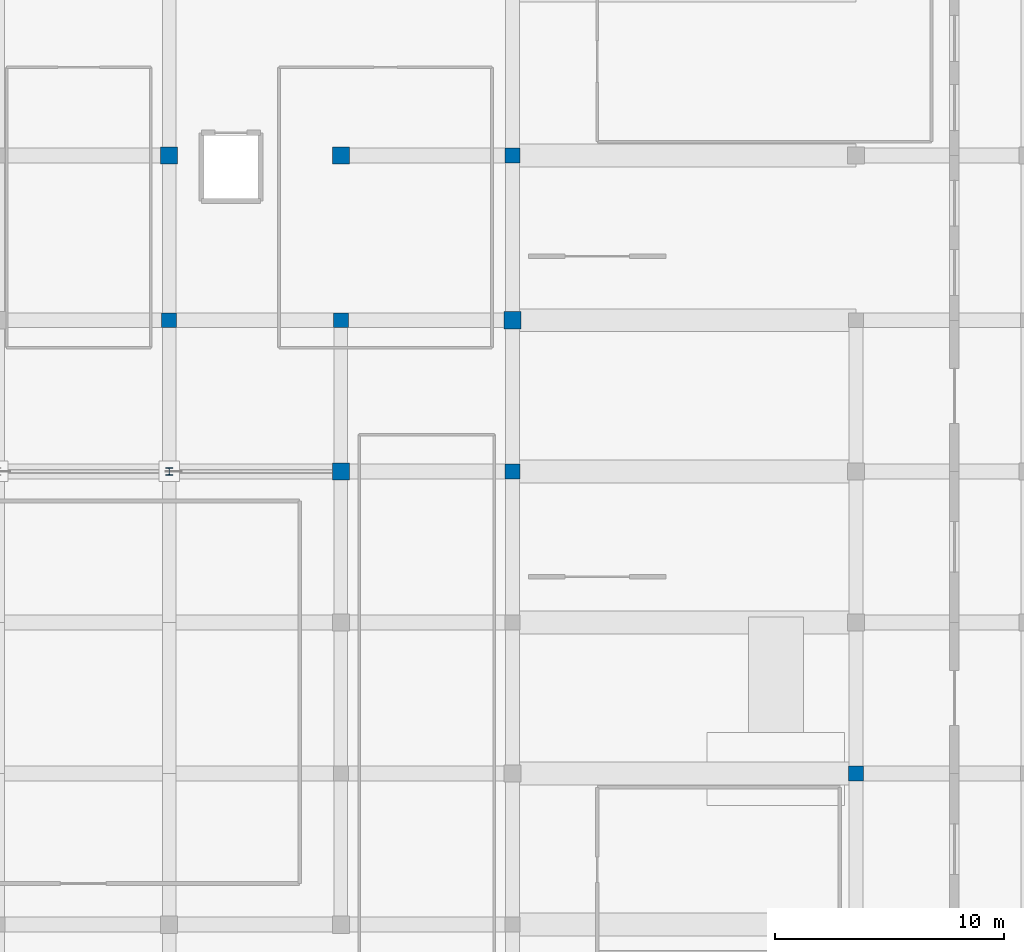
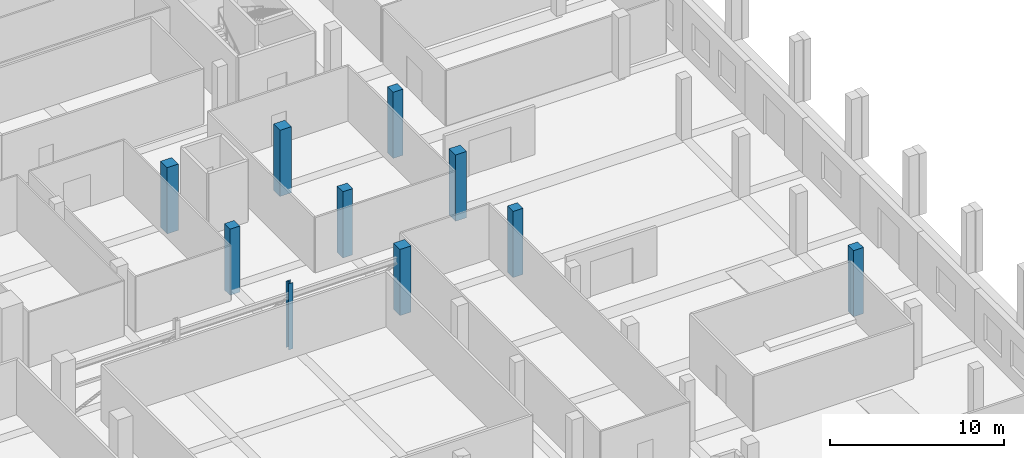
# One storey, part 4 of 33: 10 columns.
"""IFC4 building model written with IfcOpenShell, lengths in metres."""

from ifc_helpers import new_model, si_unit, direction, frame, origin, origin_2d, place, context, subcontext, project, spatial, rectangle, i_section, extrude, material, material_profile, profile_set, type_object, element, save


model = new_model("IFC4")

# Units and contexts
model_context = context("Model", 3, precision=1e-05, world=origin(), true_north=direction((0.0, 1.0)))
body_context = subcontext(model_context, "Body", "Model", "MODEL_VIEW")
ifc_project = project(units=[si_unit("LENGTHUNIT", "METRE"), si_unit("AREAUNIT", "SQUARE_METRE"), si_unit("VOLUMEUNIT", "CUBIC_METRE"), si_unit("PLANEANGLEUNIT", "RADIAN"), si_unit("MASSUNIT", "GRAM", prefix="KILO")], contexts=[model_context])

# Site, building, storey
site_placement = place(None, origin())
site = spatial("IfcSite", under=ifc_project, at=site_placement, CompositionType="ELEMENT")
building_placement = place(site_placement, origin())
building = spatial("IfcBuilding", under=site, at=building_placement, Name="Akrevak Sports Hall", CompositionType="ELEMENT")
storey_placement = place(building_placement, origin())
storey = spatial("IfcBuildingStorey", under=building, at=storey_placement, Name="L00", CompositionType="ELEMENT", Elevation=0.0)

# Columns
ifc_material_1 = material(Name="Concrete C40/50", Category="concrete")
ifc_material_profile_1 = material_profile(ifc_material_1, rectangle(XDim=0.64990234375, YDim=0.64990234375, at=origin_2d()), Name="RC 650x650", Category="concrete")
ifc_profile_set_1 = profile_set([ifc_material_profile_1], Name="Concrete C40/50")
column_type_1 = type_object("IfcColumnType", Name="STR-COL-RC650", PredefinedType="COLUMN", material=ifc_profile_set_1)
for number, where, z_axis, x_axis, name in (
    (1, (130.5, 55.199951171875, -0.35009765625), (0.0, 0.0, 1.0), (1.0, 0.0, 0.0), "Column 18/I (L00)"),
    (2, (138.0, 55.199951171875, -0.35009765625), (0.0, 0.0, 1.0), (1.0, 0.0, 0.0), "Column 19/I (L00)"),
    (3, (145.5, 48.60009765625, -0.35009765625), (0.0, 0.0, 1.0), (1.0, 0.0, 0.0), "Column 20/H (L00)"),
    (4, (145.5, 62.39990234375, -0.35009765625), (0.0, 0.0, 1.0), (1.0, 0.0, 0.0), "Column 20/J (L00)"),
    (5, (160.5, 35.39990234375, -0.35009765625), (0.0, 0.0, 1.0), (1.0, 0.0, 0.0), "Column 22/F (L00)"),
):
    element("IfcColumn", number, at=place(storey_placement, frame(where, z_axis=z_axis, x_axis=x_axis)), inside=storey, type_object=column_type_1, Name=name, PredefinedType="COLUMN", context=body_context, shape_type="SweptSolid", body=[
        extrude(rectangle(XDim=0.64990234375, YDim=0.64990234375, at=origin_2d()), origin(), (0.0, 0.0, 1.0), 4.650146484375),
    ])
ifc_material_profile_2 = material_profile(ifc_material_1, rectangle(XDim=0.75, YDim=0.75, at=origin_2d()), Name="RC 750x750", Category="concrete")
ifc_profile_set_2 = profile_set([ifc_material_profile_2], Name="Concrete C40/50")
column_type_2 = type_object("IfcColumnType", Name="STR-COL-RC750", PredefinedType="COLUMN", material=ifc_profile_set_2)
for number, where, z_axis, x_axis, name in (
    (6, (130.5, 62.39990234375, -0.35009765625), (0.0, 0.0, 1.0), (1.0, 0.0, 0.0), "Column 18/J (L00)"),
    (7, (138.0, 48.60009765625, -0.35009765625), (0.0, 0.0, 1.0), (1.0, 0.0, 0.0), "Column 19/H (L00)"),
    (8, (138.0, 62.39990234375, -0.35009765625), (0.0, 0.0, 1.0), (1.0, 0.0, 0.0), "Column 19/J (L00)"),
    (9, (145.5, 55.199951171875, -0.35009765625), (0.0, 0.0, 1.0), (1.0, 0.0, 0.0), "Column 20/I (L00)"),
):
    element("IfcColumn", number, at=place(storey_placement, frame(where, z_axis=z_axis, x_axis=x_axis)), inside=storey, type_object=column_type_2, Name=name, PredefinedType="COLUMN", context=body_context, shape_type="SweptSolid", body=[
        extrude(rectangle(XDim=0.75, YDim=0.75, at=origin_2d()), origin(), (0.0, 0.0, 1.0), 4.650146484375),
    ])
ifc_material_2 = material(Name="Steel S355", Category="steel")
ifc_material_profile_3 = material_profile(ifc_material_2, i_section(OverallWidth=0.300048828125, OverallDepth=0.320068359375, WebThickness=0.011474609375, FlangeThickness=0.0205078125, FilletRadius=0.027099609375, at=origin_2d()), Name="HEB 320", Category="steel")
ifc_profile_set_3 = profile_set([ifc_material_profile_3], Name="Steel S355")
column_type_3 = type_object("IfcColumnType", Name="STR-COL-STL-HEB320", PredefinedType="COLUMN", material=ifc_profile_set_3)
column_placement = place(storey_placement, frame((130.5, 48.60009765625, -0.35009765625), z_axis=(0.0, 0.0, 1.0), x_axis=(1.0, 0.0, 0.0)))
element("IfcColumn", 10, at=column_placement, inside=storey, type_object=column_type_3, Name="Climbing Wall Steel Column SC-2 (L00)", PredefinedType="COLUMN", context=body_context, shape_type="SweptSolid", body=[
    extrude(i_section(OverallWidth=0.300048828125, OverallDepth=0.320068359375, WebThickness=0.011474609375, FlangeThickness=0.0205078125, FilletRadius=0.027099609375, at=origin_2d()), origin(), (0.0, 0.0, 1.0), 4.650146484375),
])

save(model, "model.ifc")
